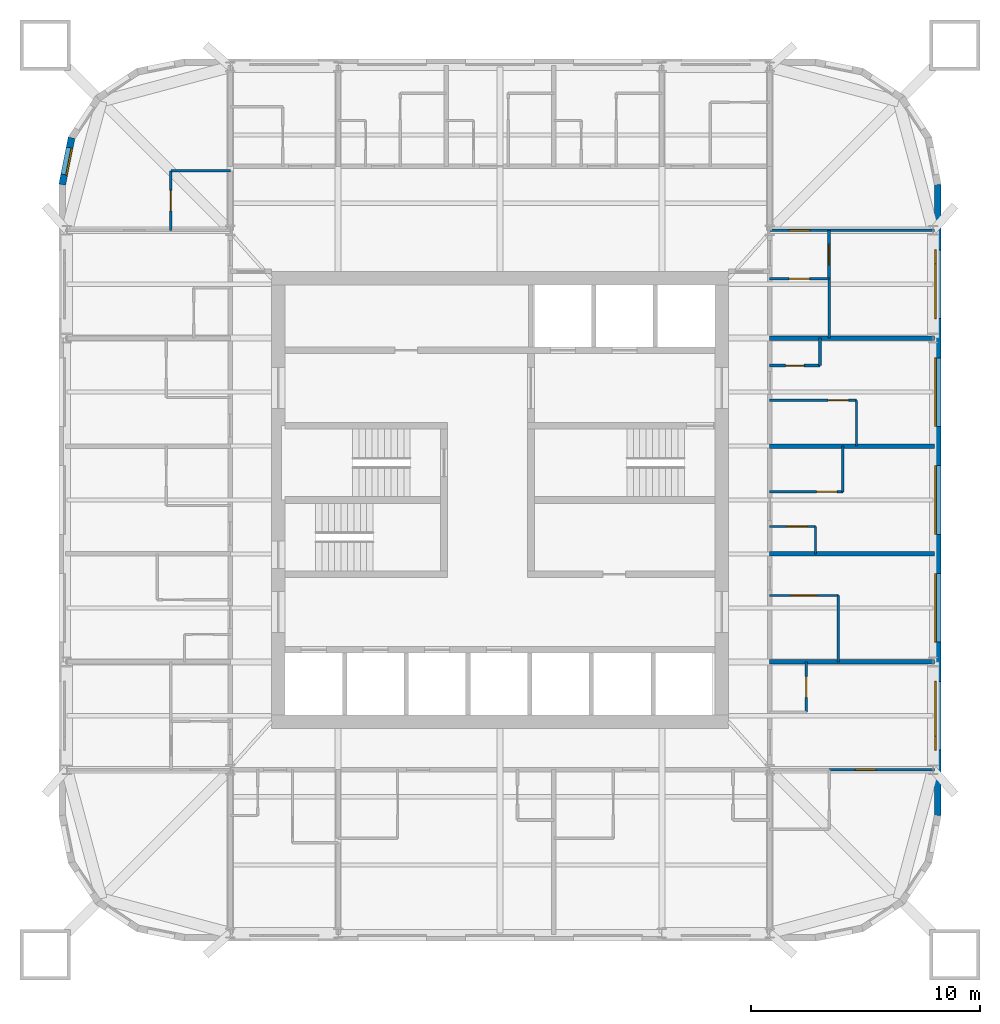
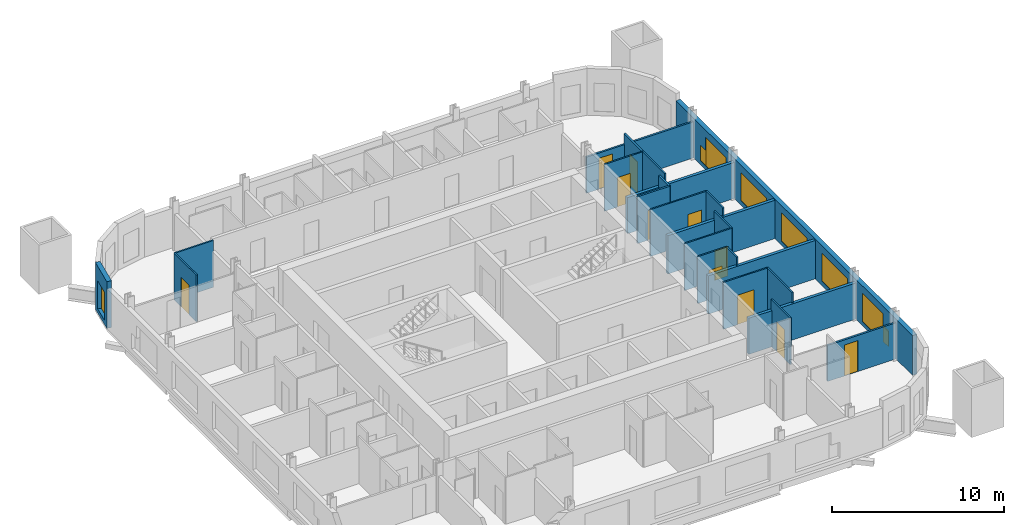
# One storey, part 6 of 9: 24 walls, 11 doors, 8 windows, 19 openings.
"""IFC4 building model written with IfcOpenShell, lengths in metres."""

from ifc_helpers import new_model, si_unit, direction, frame, frame_2d, origin, place, context, subcontext, project, spatial, rectangle, extrude, material, layer, layer_set, type_object, element, fill, save


model = new_model("IFC4")

# Units and contexts
model_context = context("Model", 3, precision=1e-05, world=origin(), true_north=direction((0.0, 1.0)))
body_context = subcontext(model_context, "Body", "Model", "MODEL_VIEW")
ifc_project = project(units=[si_unit("LENGTHUNIT", "METRE"), si_unit("AREAUNIT", "SQUARE_METRE"), si_unit("VOLUMEUNIT", "CUBIC_METRE"), si_unit("PLANEANGLEUNIT", "RADIAN"), si_unit("MASSUNIT", "GRAM", prefix="KILO")], contexts=[model_context])

# Site, building, storey
site_placement = place(None, origin())
site = spatial("IfcSite", under=ifc_project, at=site_placement, CompositionType="ELEMENT")
building_placement = place(site_placement, origin())
building = spatial("IfcBuilding", under=site, at=building_placement, Name="Turquesa Mirador Hotel Tower", CompositionType="ELEMENT")
storey_placement = place(building_placement, frame((0.0, 0.0, 172.300048828125)))
storey = spatial("IfcBuildingStorey", under=building, at=storey_placement, Name="L46", CompositionType="ELEMENT", Elevation=172.300048828125)

# Wall, opening, door
ifc_material_1 = material(Name="Gypsum board on steel studs", Category="steel")
ifc_layer_1 = layer(ifc_material_1, 0.10009765625)
ifc_layer_set_1 = layer_set([ifc_layer_1], Name="BATHROOM WALL 100")
wall_type_1 = type_object("IfcWallType", Name="BATHROOM WALL 100", PredefinedType="PARTITIONING", material=ifc_layer_set_1)
wall_1_placement = place(storey_placement, frame((66.800048828125, 43.840087890625, 0.0), z_axis=(0.0, 0.0, 1.0), x_axis=(1.0, 0.0, 0.0)))
wall_1 = element("IfcWall", 1, at=wall_1_placement, inside=storey, type_object=wall_type_1, Name="Partition L46 002", PredefinedType="PARTITIONING", context=body_context, shape_type="SweptSolid", body=[
    extrude(rectangle(XDim=2.0, YDim=0.10009765625, at=frame_2d((1.0, 0.0))), origin(), (0.0, 0.0, 1.0), 3.329833984375),
])
opening_1_placement = place(wall_1_placement, frame((0.75, 0.0, 0.0)))
opening_1 = element("IfcOpeningElement", 2, at=opening_1_placement, cuts=wall_1, Name="Opening D06", PredefinedType="OPENING", context=body_context, shape_type="SweptSolid", body=[
    extrude(rectangle(XDim=0.89990234375, YDim=2.10009765625, at=frame_2d((0.449951171875, 1.050048828125))), frame((0.0, 0.06005859375, 0.0), z_axis=(0.0, -1.0, 0.0), x_axis=(1.0, 0.0, 0.0)), (0.0, 0.0, 1.0), 0.1201171875),
])
ifc_material_2 = material(Name="Laminate door", Category="wood")
door_type_1 = type_object("IfcDoorType", Name="DOOR 900X2100 WC", OperationType="SINGLE_SWING_LEFT", PredefinedType="DOOR", material=ifc_material_2)
door_1_placement = place(opening_1_placement, origin())
door_1 = element("IfcDoor", 3, at=door_1_placement, inside=storey, type_object=door_type_1, Name="Door 4610W", OperationType="SINGLE_SWING_LEFT", OverallHeight=2.10009765625, OverallWidth=0.89990234375, PredefinedType="DOOR", context=body_context, shape_type="SweptSolid", body=[
    extrude(rectangle(XDim=0.89990234375, YDim=2.10009765625, at=frame_2d((0.449951171875, 1.050048828125))), frame((0.0, 0.02490234375, 0.0), z_axis=(0.0, -1.0, 0.0), x_axis=(1.0, 0.0, 0.0)), (0.0, 0.0, 1.0), 0.050048828125),
])
fill(opening_1, door_1)

wall_2_placement = place(storey_placement, frame((66.800048828125, 40.820068359375, 0.0), z_axis=(0.0, 0.0, 1.0), x_axis=(1.0, 0.0, 0.0)))
wall_2 = element("IfcWall", 4, at=wall_2_placement, inside=storey, type_object=wall_type_1, Name="Partition L46 016", PredefinedType="PARTITIONING", context=body_context, shape_type="SweptSolid", body=[
    extrude(rectangle(XDim=3.0, YDim=0.10009765625, at=frame_2d((1.5, 0.0))), origin(), (0.0, 0.0, 1.0), 3.329833984375),
])
opening_2_placement = place(wall_2_placement, frame((0.949951171875, 0.0, 0.0)))
opening_2 = element("IfcOpeningElement", 5, at=opening_2_placement, cuts=wall_2, Name="Opening D16", PredefinedType="OPENING", context=body_context, shape_type="SweptSolid", body=[
    extrude(rectangle(XDim=1.10009765625, YDim=2.10009765625, at=frame_2d((0.550048828125, 1.050048828125))), frame((0.0, 0.06005859375, 0.0), z_axis=(0.0, -1.0, 0.0), x_axis=(1.0, 0.0, 0.0)), (0.0, 0.0, 1.0), 0.1201171875),
])
ifc_material_3 = material(Name="Timber veneered sliding door", Category="wood")
door_type_2 = type_object("IfcDoorType", Name="DOOR 1100X2100 ACCESSIBLE EN-SUITE", OperationType="SLIDING_TO_LEFT", PredefinedType="DOOR", material=ifc_material_3)
door_2_placement = place(opening_2_placement, origin())
door_2 = element("IfcDoor", 6, at=door_2_placement, inside=storey, type_object=door_type_2, Name="Door 4609B", OperationType="SLIDING_TO_LEFT", OverallHeight=2.10009765625, OverallWidth=1.10009765625, PredefinedType="DOOR", context=body_context, shape_type="SweptSolid", body=[
    extrude(rectangle(XDim=1.10009765625, YDim=2.10009765625, at=frame_2d((0.550048828125, 1.050048828125))), frame((0.0, 0.02490234375, 0.0), z_axis=(0.0, -1.0, 0.0), x_axis=(1.0, 0.0, 0.0)), (0.0, 0.0, 1.0), 0.050048828125),
])
fill(opening_2, door_2)

wall_3_placement = place(storey_placement, frame((66.800048828125, 45.360107421875, 0.0), z_axis=(0.0, 0.0, 1.0), x_axis=(1.0, 0.0, 0.0)))
wall_3 = element("IfcWall", 7, at=wall_3_placement, inside=storey, type_object=wall_type_1, Name="Partition L46 023", PredefinedType="PARTITIONING", context=body_context, shape_type="SweptSolid", body=[
    extrude(rectangle(XDim=3.199951171875, YDim=0.10009765625, at=frame_2d((1.60009765625, 0.0))), origin(), (0.0, 0.0, 1.0), 3.329833984375),
])
opening_3_placement = place(wall_3_placement, frame((2.050048828125, 0.0, 0.0)))
opening_3 = element("IfcOpeningElement", 8, at=opening_3_placement, cuts=wall_3, Name="Opening D02", PredefinedType="OPENING", context=body_context, shape_type="SweptSolid", body=[
    extrude(rectangle(XDim=0.89990234375, YDim=2.10009765625, at=frame_2d((0.449951171875, 1.050048828125))), frame((0.0, 0.06005859375, 0.0), z_axis=(0.0, -1.0, 0.0), x_axis=(1.0, 0.0, 0.0)), (0.0, 0.0, 1.0), 0.1201171875),
])
ifc_material_4 = material(Name="Timber veneered door", Category="wood")
door_type_3 = type_object("IfcDoorType", Name="DOOR 900X2100 EN-SUITE", OperationType="SINGLE_SWING_RIGHT", PredefinedType="DOOR", material=ifc_material_4)
door_3_placement = place(opening_3_placement, origin())
door_3 = element("IfcDoor", 9, at=door_3_placement, inside=storey, type_object=door_type_3, Name="Door 4610B", OperationType="SINGLE_SWING_RIGHT", OverallHeight=2.10009765625, OverallWidth=0.89990234375, PredefinedType="DOOR", context=body_context, shape_type="SweptSolid", body=[
    extrude(rectangle(XDim=0.89990234375, YDim=2.10009765625, at=frame_2d((0.449951171875, 1.050048828125))), frame((0.0, 0.02490234375, 0.0), z_axis=(0.0, -1.0, 0.0), x_axis=(1.0, 0.0, 0.0)), (0.0, 0.0, 1.0), 0.050048828125),
])
fill(opening_3, door_3)

# Wall
wall_4_placement = place(storey_placement, frame((40.60009765625, 59.39990234375, 0.0), z_axis=(0.0, 0.0, 1.0), x_axis=(1.0, 0.0, 0.0)))
element("IfcWall", 10, at=wall_4_placement, inside=storey, type_object=wall_type_1, Name="Partition L46 029", PredefinedType="PARTITIONING", context=body_context, shape_type="SweptSolid", body=[
    extrude(rectangle(XDim=2.599853515625, YDim=0.10009765625, at=frame_2d((1.2998046875, 0.0))), origin(), (0.0, 0.0, 1.0), 3.329833984375),
])

# Wall, opening, door
wall_5_placement = place(storey_placement, frame((66.800048828125, 49.360107421875, 0.0), z_axis=(0.0, 0.0, 1.0), x_axis=(1.0, 0.0, 0.0)))
wall_5 = element("IfcWall", 11, at=wall_5_placement, inside=storey, type_object=wall_type_1, Name="Partition L46 041", PredefinedType="PARTITIONING", context=body_context, shape_type="SweptSolid", body=[
    extrude(rectangle(XDim=3.800048828125, YDim=0.10009765625, at=frame_2d((1.89990234375, 0.0))), origin(), (0.0, 0.0, 1.0), 3.329833984375),
])
opening_4_placement = place(wall_5_placement, frame((2.550048828125, 0.0, 0.0)))
opening_4 = element("IfcOpeningElement", 12, at=opening_4_placement, cuts=wall_5, Name="Opening D02", PredefinedType="OPENING", context=body_context, shape_type="SweptSolid", body=[
    extrude(rectangle(XDim=0.89990234375, YDim=2.10009765625, at=frame_2d((0.449951171875, 1.050048828125))), frame((0.0, 0.06005859375, 0.0), z_axis=(0.0, -1.0, 0.0), x_axis=(1.0, 0.0, 0.0)), (0.0, 0.0, 1.0), 0.1201171875),
])
door_4_placement = place(opening_4_placement, origin())
door_4 = element("IfcDoor", 13, at=door_4_placement, inside=storey, type_object=door_type_3, Name="Door 4611B", OperationType="SINGLE_SWING_RIGHT", OverallHeight=2.10009765625, OverallWidth=0.89990234375, PredefinedType="DOOR", context=body_context, shape_type="SweptSolid", body=[
    extrude(rectangle(XDim=0.89990234375, YDim=2.10009765625, at=frame_2d((0.449951171875, 1.050048828125))), frame((0.0, 0.02490234375, 0.0), z_axis=(0.0, -1.0, 0.0), x_axis=(1.0, 0.0, 0.0)), (0.0, 0.0, 1.0), 0.050048828125),
])
fill(opening_4, door_4)

wall_6_placement = place(storey_placement, frame((66.800048828125, 54.679931640625, 0.0), z_axis=(0.0, 0.0, 1.0), x_axis=(1.0, 0.0, 0.0)))
wall_6 = element("IfcWall", 14, at=wall_6_placement, inside=storey, type_object=wall_type_1, Name="Partition L46 047", PredefinedType="PARTITIONING", context=body_context, shape_type="SweptSolid", body=[
    extrude(rectangle(XDim=2.599853515625, YDim=0.10009765625, at=frame_2d((1.2998046875, 0.0))), origin(), (0.0, 0.0, 1.0), 3.329833984375),
])
opening_5_placement = place(wall_6_placement, frame((0.85009765625, 0.0, 0.0)))
opening_5 = element("IfcOpeningElement", 15, at=opening_5_placement, cuts=wall_6, Name="Opening D02", PredefinedType="OPENING", context=body_context, shape_type="SweptSolid", body=[
    extrude(rectangle(XDim=0.89990234375, YDim=2.10009765625, at=frame_2d((0.449951171875, 1.050048828125))), frame((0.0, 0.06005859375, 0.0), z_axis=(0.0, -1.0, 0.0), x_axis=(1.0, 0.0, 0.0)), (0.0, 0.0, 1.0), 0.1201171875),
])
door_5_placement = place(opening_5_placement, origin())
door_5 = element("IfcDoor", 16, at=door_5_placement, inside=storey, type_object=door_type_3, Name="Door 4615B", OperationType="SINGLE_SWING_RIGHT", OverallHeight=2.10009765625, OverallWidth=0.89990234375, PredefinedType="DOOR", context=body_context, shape_type="SweptSolid", body=[
    extrude(rectangle(XDim=0.89990234375, YDim=2.10009765625, at=frame_2d((0.449951171875, 1.050048828125))), frame((0.0, 0.02490234375, 0.0), z_axis=(0.0, -1.0, 0.0), x_axis=(1.0, 0.0, 0.0)), (0.0, 0.0, 1.0), 0.050048828125),
])
fill(opening_5, door_5)

wall_7_placement = place(storey_placement, frame((40.60009765625, 56.800048828125, 0.0), z_axis=(0.0, 0.0, 1.0), x_axis=(0.0, 1.0, 0.0)))
wall_7 = element("IfcWall", 17, at=wall_7_placement, inside=storey, type_object=wall_type_1, Name="Partition L46 056", PredefinedType="PARTITIONING", context=body_context, shape_type="SweptSolid", body=[
    extrude(rectangle(XDim=2.599853515625, YDim=0.10009765625, at=frame_2d((1.2998046875, 0.0))), origin(), (0.0, 0.0, 1.0), 3.329833984375),
])
opening_6_placement = place(wall_7_placement, frame((0.85009765625, 0.0, 0.0)))
opening_6 = element("IfcOpeningElement", 18, at=opening_6_placement, cuts=wall_7, Name="Opening D02", PredefinedType="OPENING", context=body_context, shape_type="SweptSolid", body=[
    extrude(rectangle(XDim=0.89990234375, YDim=2.10009765625, at=frame_2d((0.449951171875, 1.050048828125))), frame((0.0, 0.06005859375, 0.0), z_axis=(0.0, -1.0, 0.0), x_axis=(1.0, 0.0, 0.0)), (0.0, 0.0, 1.0), 0.1201171875),
])
door_6_placement = place(opening_6_placement, origin())
door_6 = element("IfcDoor", 19, at=door_6_placement, inside=storey, type_object=door_type_3, Name="Door 4616B", OperationType="SINGLE_SWING_RIGHT", OverallHeight=2.10009765625, OverallWidth=0.89990234375, PredefinedType="DOOR", context=body_context, shape_type="SweptSolid", body=[
    extrude(rectangle(XDim=0.89990234375, YDim=2.10009765625, at=frame_2d((0.449951171875, 1.050048828125))), frame((0.0, 0.02490234375, 0.0), z_axis=(0.0, -1.0, 0.0), x_axis=(1.0, 0.0, 0.0)), (0.0, 0.0, 1.0), 0.050048828125),
])
fill(opening_6, door_6)

wall_8_placement = place(storey_placement, frame((68.39990234375, 35.719970703125, 0.0), z_axis=(0.0, 0.0, 1.0), x_axis=(0.0, 1.0, 0.0)))
wall_8 = element("IfcWall", 20, at=wall_8_placement, inside=storey, type_object=wall_type_1, Name="Partition L46 076", PredefinedType="PARTITIONING", context=body_context, shape_type="SweptSolid", body=[
    extrude(rectangle(XDim=2.199951171875, YDim=0.10009765625, at=frame_2d((1.10009765625, 0.0))), origin(), (0.0, 0.0, 1.0), 3.329833984375),
])
opening_7_placement = place(wall_8_placement, frame((0.64990234375, 0.0, 0.0)))
opening_7 = element("IfcOpeningElement", 21, at=opening_7_placement, cuts=wall_8, Name="Opening D06", PredefinedType="OPENING", context=body_context, shape_type="SweptSolid", body=[
    extrude(rectangle(XDim=0.89990234375, YDim=2.10009765625, at=frame_2d((0.449951171875, 1.050048828125))), frame((0.0, 0.06005859375, 0.0), z_axis=(0.0, -1.0, 0.0), x_axis=(1.0, 0.0, 0.0)), (0.0, 0.0, 1.0), 0.1201171875),
])
door_7_placement = place(opening_7_placement, origin())
door_7 = element("IfcDoor", 22, at=door_7_placement, inside=storey, type_object=door_type_1, Name="Door 4618W", OperationType="SINGLE_SWING_LEFT", OverallHeight=2.10009765625, OverallWidth=0.89990234375, PredefinedType="DOOR", context=body_context, shape_type="SweptSolid", body=[
    extrude(rectangle(XDim=0.89990234375, YDim=2.10009765625, at=frame_2d((0.449951171875, 1.050048828125))), frame((0.0, 0.02490234375, 0.0), z_axis=(0.0, -1.0, 0.0), x_axis=(1.0, 0.0, 0.0)), (0.0, 0.0, 1.0), 0.050048828125),
])
fill(opening_7, door_7)

# Walls
wall_9_placement = place(storey_placement, frame((68.800048828125, 42.639892578125, 0.0), z_axis=(0.0, 0.0, 1.0), x_axis=(0.0, 1.0, 0.0)))
element("IfcWall", 23, at=wall_9_placement, inside=storey, type_object=wall_type_1, Name="Partition L46 077", PredefinedType="PARTITIONING", context=body_context, shape_type="SweptSolid", body=[
    extrude(rectangle(XDim=1.2001953125, YDim=0.10009765625, at=frame_2d((0.60009765625, 0.0))), origin(), (0.0, 0.0, 1.0), 3.329833984375),
])
wall_10_placement = place(storey_placement, frame((69.39990234375, 52.080078125, 0.0), z_axis=(0.0, 0.0, 1.0), x_axis=(0.0, 1.0, 0.0)))
element("IfcWall", 24, at=wall_10_placement, inside=storey, type_object=wall_type_1, Name="Partition L46 080", PredefinedType="PARTITIONING", context=body_context, shape_type="SweptSolid", body=[
    extrude(rectangle(XDim=2.599853515625, YDim=0.10009765625, at=frame_2d((1.2998046875, 0.0))), origin(), (0.0, 0.0, 1.0), 3.329833984375),
])
wall_11_placement = place(storey_placement, frame((69.800048828125, 37.919921875, 0.0), z_axis=(0.0, 0.0, 1.0), x_axis=(0.0, 1.0, 0.0)))
element("IfcWall", 25, at=wall_11_placement, inside=storey, type_object=wall_type_1, Name="Partition L46 082", PredefinedType="PARTITIONING", context=body_context, shape_type="SweptSolid", body=[
    extrude(rectangle(XDim=2.900146484375, YDim=0.10009765625, at=frame_2d((1.4501953125, 0.0))), origin(), (0.0, 0.0, 1.0), 3.329833984375),
])
for number, where, z_axis, x_axis, name in (
    (26, (70.0, 45.360107421875, 0.0), (0.0, 0.0, 1.0), (0.0, 1.0, 0.0), "Partition L46 083"),
    (27, (70.60009765625, 47.360107421875, 0.0), (0.0, 0.0, 1.0), (0.0, 1.0, 0.0), "Partition L46 084"),
):
    element("IfcWall", number, at=place(storey_placement, frame(where, z_axis=z_axis, x_axis=x_axis)), inside=storey, type_object=wall_type_1, Name=name, PredefinedType="PARTITIONING", context=body_context, shape_type="SweptSolid", body=[
        extrude(rectangle(XDim=2.0, YDim=0.10009765625, at=frame_2d((1.0, 0.0))), origin(), (0.0, 0.0, 1.0), 3.329833984375),
    ])

# Wall, openings, windows
ifc_material_5 = material(Name="Limestone cladding on concrete block", Category="masonry")
ifc_layer_2 = layer(ifc_material_5, 0.300048828125)
ifc_layer_set_2 = layer_set([ifc_layer_2], Name="FACADE WALL 300 STONE SCREEN")
wall_type_2 = type_object("IfcWallType", Name="FACADE WALL 300 STONE SCREEN", PredefinedType="SOLIDWALL", material=ifc_layer_set_2)
wall_12_placement = place(storey_placement, frame((74.14990234375, 31.199951171875, 0.0), z_axis=(0.0, 0.0, 1.0), x_axis=(0.0, 1.0, 0.0)))
wall_12 = element("IfcWall", 28, at=wall_12_placement, inside=storey, type_object=wall_type_2, Name="Facade wall L46 04", PredefinedType="SOLIDWALL", context=body_context, shape_type="SweptSolid", body=[
    extrude(rectangle(XDim=27.60009765625, YDim=0.300048828125, at=frame_2d((13.800048828125, 0.0))), origin(), (0.0, 0.0, 1.0), 2.829833984375),
])
opening_8_placement = place(wall_12_placement, frame((3.4599609375, 0.0, 0.300048828125)))
opening_8 = element("IfcOpeningElement", 29, at=opening_8_placement, cuts=wall_12, Name="Opening WN2", PredefinedType="OPENING", context=body_context, shape_type="SweptSolid", body=[
    extrude(rectangle(XDim=2.39990234375, YDim=2.0, at=frame_2d((1.199951171875, 1.0))), frame((0.0, 0.159912109375, 0.0), z_axis=(0.0, -1.0, 0.0), x_axis=(1.0, 0.0, 0.0)), (0.0, 0.0, 1.0), 0.320068359375),
])
opening_9_placement = place(wall_12_placement, frame((7.580078125, 0.0, 0.300048828125)))
opening_9 = element("IfcOpeningElement", 30, at=opening_9_placement, cuts=wall_12, Name="Opening WN1", PredefinedType="OPENING", context=body_context, shape_type="SweptSolid", body=[
    extrude(rectangle(XDim=3.0, YDim=2.0, at=frame_2d((1.5, 1.0))), frame((0.0, 0.159912109375, 0.0), z_axis=(0.0, -1.0, 0.0), x_axis=(1.0, 0.0, 0.0)), (0.0, 0.0, 1.0), 0.320068359375),
])
opening_10_placement = place(wall_12_placement, frame((12.300048828125, 0.0, 0.300048828125)))
opening_10 = element("IfcOpeningElement", 31, at=opening_10_placement, cuts=wall_12, Name="Opening WN1", PredefinedType="OPENING", context=body_context, shape_type="SweptSolid", body=[
    extrude(rectangle(XDim=3.0, YDim=2.0, at=frame_2d((1.5, 1.0))), frame((0.0, 0.159912109375, 0.0), z_axis=(0.0, -1.0, 0.0), x_axis=(1.0, 0.0, 0.0)), (0.0, 0.0, 1.0), 0.320068359375),
])
opening_11_placement = place(wall_12_placement, frame((17.02001953125, 0.0, 0.300048828125)))
opening_11 = element("IfcOpeningElement", 32, at=opening_11_placement, cuts=wall_12, Name="Opening WN1", PredefinedType="OPENING", context=body_context, shape_type="SweptSolid", body=[
    extrude(rectangle(XDim=3.0, YDim=2.0, at=frame_2d((1.5, 1.0))), frame((0.0, 0.159912109375, 0.0), z_axis=(0.0, -1.0, 0.0), x_axis=(1.0, 0.0, 0.0)), (0.0, 0.0, 1.0), 0.320068359375),
])
opening_12_placement = place(wall_12_placement, frame((21.739990234375, 0.0, 0.300048828125)))
opening_12 = element("IfcOpeningElement", 33, at=opening_12_placement, cuts=wall_12, Name="Opening WN2", PredefinedType="OPENING", context=body_context, shape_type="SweptSolid", body=[
    extrude(rectangle(XDim=2.39990234375, YDim=2.0, at=frame_2d((1.199951171875, 1.0))), frame((0.0, 0.159912109375, 0.0), z_axis=(0.0, -1.0, 0.0), x_axis=(1.0, 0.0, 0.0)), (0.0, 0.0, 1.0), 0.320068359375),
])
opening_13_placement = place(wall_12_placement, frame((2.860107421875, 0.0, 0.300048828125)))
opening_13 = element("IfcOpeningElement", 34, at=opening_13_placement, cuts=wall_12, Name="Opening WN30", PredefinedType="OPENING", context=body_context, shape_type="SweptSolid", body=[
    extrude(rectangle(XDim=0.60009765625, YDim=1.10009765625, at=frame_2d((0.300048828125, 0.550048828125))), frame((0.0, 0.159912109375, 0.0), z_axis=(0.0, -1.0, 0.0), x_axis=(1.0, 0.0, 0.0)), (0.0, 0.0, 1.0), 0.320068359375),
])
opening_14_placement = place(wall_12_placement, frame((24.139892578125, 0.0, 0.300048828125)))
opening_14 = element("IfcOpeningElement", 35, at=opening_14_placement, cuts=wall_12, Name="Opening WN30", PredefinedType="OPENING", context=body_context, shape_type="SweptSolid", body=[
    extrude(rectangle(XDim=0.60009765625, YDim=1.10009765625, at=frame_2d((0.300048828125, 0.550048828125))), frame((0.0, 0.159912109375, 0.0), z_axis=(0.0, -1.0, 0.0), x_axis=(1.0, 0.0, 0.0)), (0.0, 0.0, 1.0), 0.320068359375),
])
ifc_material_6 = material(Name="Ceramic-fritted laminated glass", Category="glass")
window_type_1 = type_object("IfcWindowType", Name="FRITTED WINDOW 2400X2000", PartitioningType="DOUBLE_PANEL_HORIZONTAL", PredefinedType="WINDOW", material=ifc_material_6)
window_1_placement = place(opening_8_placement, origin())
window_1 = element("IfcWindow", 36, at=window_1_placement, inside=storey, type_object=window_type_1, Name="Window L46", OverallHeight=2.0, OverallWidth=2.39990234375, PartitioningType="SINGLE_PANEL", PredefinedType="WINDOW", context=body_context, shape_type="SweptSolid", body=[
    extrude(rectangle(XDim=2.39990234375, YDim=2.0, at=frame_2d((1.199951171875, 1.0))), frame((0.0, 0.130126953125, 0.0), z_axis=(0.0, -1.0, 0.0), x_axis=(1.0, 0.0, 0.0)), (0.0, 0.0, 1.0), 0.06005859375),
])
fill(opening_8, window_1)
window_2_placement = place(opening_12_placement, origin())
window_2 = element("IfcWindow", 37, at=window_2_placement, inside=storey, type_object=window_type_1, Name="Window L46", OverallHeight=2.0, OverallWidth=2.39990234375, PartitioningType="SINGLE_PANEL", PredefinedType="WINDOW", context=body_context, shape_type="SweptSolid", body=[
    extrude(rectangle(XDim=2.39990234375, YDim=2.0, at=frame_2d((1.199951171875, 1.0))), frame((0.0, 0.130126953125, 0.0), z_axis=(0.0, -1.0, 0.0), x_axis=(1.0, 0.0, 0.0)), (0.0, 0.0, 1.0), 0.06005859375),
])
fill(opening_12, window_2)
ifc_material_7 = material(Name="Ceramic-fritted laminated glass", Category="glass")
window_type_2 = type_object("IfcWindowType", Name="FRITTED WINDOW 3000X2000", PartitioningType="DOUBLE_PANEL_HORIZONTAL", PredefinedType="WINDOW", material=ifc_material_7)
window_3_placement = place(opening_9_placement, origin())
window_3 = element("IfcWindow", 38, at=window_3_placement, inside=storey, type_object=window_type_2, Name="Window L46", OverallHeight=2.0, OverallWidth=3.0, PartitioningType="SINGLE_PANEL", PredefinedType="WINDOW", context=body_context, shape_type="SweptSolid", body=[
    extrude(rectangle(XDim=3.0, YDim=2.0, at=frame_2d((1.5, 1.0))), frame((0.0, 0.130126953125, 0.0), z_axis=(0.0, -1.0, 0.0), x_axis=(1.0, 0.0, 0.0)), (0.0, 0.0, 1.0), 0.06005859375),
])
fill(opening_9, window_3)
window_4_placement = place(opening_10_placement, origin())
window_4 = element("IfcWindow", 39, at=window_4_placement, inside=storey, type_object=window_type_2, Name="Window L46", OverallHeight=2.0, OverallWidth=3.0, PartitioningType="SINGLE_PANEL", PredefinedType="WINDOW", context=body_context, shape_type="SweptSolid", body=[
    extrude(rectangle(XDim=3.0, YDim=2.0, at=frame_2d((1.5, 1.0))), frame((0.0, 0.130126953125, 0.0), z_axis=(0.0, -1.0, 0.0), x_axis=(1.0, 0.0, 0.0)), (0.0, 0.0, 1.0), 0.06005859375),
])
fill(opening_10, window_4)
window_5_placement = place(opening_11_placement, origin())
window_5 = element("IfcWindow", 40, at=window_5_placement, inside=storey, type_object=window_type_2, Name="Window L46", OverallHeight=2.0, OverallWidth=3.0, PartitioningType="SINGLE_PANEL", PredefinedType="WINDOW", context=body_context, shape_type="SweptSolid", body=[
    extrude(rectangle(XDim=3.0, YDim=2.0, at=frame_2d((1.5, 1.0))), frame((0.0, 0.130126953125, 0.0), z_axis=(0.0, -1.0, 0.0), x_axis=(1.0, 0.0, 0.0)), (0.0, 0.0, 1.0), 0.06005859375),
])
fill(opening_11, window_5)
ifc_material_8 = material(Name="Ceramic-fritted laminated glass", Category="glass")
window_type_3 = type_object("IfcWindowType", Name="FRITTED WINDOW 600X1100", PartitioningType="DOUBLE_PANEL_HORIZONTAL", PredefinedType="WINDOW", material=ifc_material_8)
window_6_placement = place(opening_13_placement, origin())
window_6 = element("IfcWindow", 41, at=window_6_placement, inside=storey, type_object=window_type_3, Name="Window L46", OverallHeight=1.10009765625, OverallWidth=0.60009765625, PartitioningType="SINGLE_PANEL", PredefinedType="WINDOW", context=body_context, shape_type="SweptSolid", body=[
    extrude(rectangle(XDim=0.60009765625, YDim=1.10009765625, at=frame_2d((0.300048828125, 0.550048828125))), frame((0.0, 0.130126953125, 0.0), z_axis=(0.0, -1.0, 0.0), x_axis=(1.0, 0.0, 0.0)), (0.0, 0.0, 1.0), 0.06005859375),
])
fill(opening_13, window_6)
window_7_placement = place(opening_14_placement, origin())
window_7 = element("IfcWindow", 42, at=window_7_placement, inside=storey, type_object=window_type_3, Name="Window L46", OverallHeight=1.10009765625, OverallWidth=0.60009765625, PartitioningType="SINGLE_PANEL", PredefinedType="WINDOW", context=body_context, shape_type="SweptSolid", body=[
    extrude(rectangle(XDim=0.60009765625, YDim=1.10009765625, at=frame_2d((0.300048828125, 0.550048828125))), frame((0.0, 0.130126953125, 0.0), z_axis=(0.0, -1.0, 0.0), x_axis=(1.0, 0.0, 0.0)), (0.0, 0.0, 1.0), 0.06005859375),
])
fill(opening_14, window_7)

# Wall, opening, window
wall_13_placement = place(storey_placement, frame((36.25732421875, 60.847412109375, 0.0), z_axis=(0.0, 0.0, 1.0), x_axis=(-0.195081421501, -0.980787050784, 0.0)))
wall_13 = element("IfcWall", 43, at=wall_13_placement, inside=storey, type_object=wall_type_2, Name="Facade wall L46 13", PredefinedType="SOLIDWALL", context=body_context, shape_type="SweptSolid", body=[
    extrude(rectangle(XDim=2.08740234375, YDim=0.300048828125, at=frame_2d((1.043701171875, 0.0))), origin(), (0.0, 0.0, 1.0), 3.329833984375),
])
opening_15_placement = place(wall_13_placement, frame((0.443603515625, 0.0, 0.300048828125)))
opening_15 = element("IfcOpeningElement", 44, at=opening_15_placement, cuts=wall_13, Name="Opening WN4", PredefinedType="OPENING", context=body_context, shape_type="SweptSolid", body=[
    extrude(rectangle(XDim=1.199951171875, YDim=2.0, at=frame_2d((0.60009765625, 1.0))), frame((0.0, 0.159912109375, 0.0), z_axis=(0.0, -1.0, 0.0), x_axis=(1.0, 0.0, 0.0)), (0.0, 0.0, 1.0), 0.320068359375),
])
ifc_material_9 = material(Name="Ceramic-fritted laminated glass", Category="glass")
window_type_4 = type_object("IfcWindowType", Name="FRITTED CORNER WINDOW 1200X2000", PartitioningType="DOUBLE_PANEL_HORIZONTAL", PredefinedType="WINDOW", material=ifc_material_9)
window_8_placement = place(opening_15_placement, origin())
window_8 = element("IfcWindow", 45, at=window_8_placement, inside=storey, type_object=window_type_4, Name="Window L46", OverallHeight=2.0, OverallWidth=1.199951171875, PartitioningType="SINGLE_PANEL", PredefinedType="WINDOW", context=body_context, shape_type="SweptSolid", body=[
    extrude(rectangle(XDim=1.199951171875, YDim=2.0, at=frame_2d((0.60009765625, 1.0))), frame((0.0, 0.130126953125, 0.0), z_axis=(0.0, -1.0, 0.0), x_axis=(1.0, 0.0, 0.0)), (0.0, 0.0, 1.0), 0.06005859375),
])
fill(opening_15, window_8)

# Walls
ifc_material_10 = material(Name="Fire-rated gypsum board on steel studs", Category="steel")
ifc_layer_3 = layer(ifc_material_10, 0.199951171875)
ifc_layer_set_3 = layer_set([ifc_layer_3], Name="PARTY WALL 200")
wall_type_3 = type_object("IfcWallType", Name="PARTY WALL 200", PredefinedType="PARTITIONING", material=ifc_layer_set_3)
wall_14_placement = place(storey_placement, frame((66.800048828125, 42.639892578125, 0.0), z_axis=(0.0, 0.0, 1.0), x_axis=(1.0, 0.0, 0.0)))
element("IfcWall", 46, at=wall_14_placement, inside=storey, type_object=wall_type_3, Name="Partition L46 015", PredefinedType="PARTITIONING", context=body_context, shape_type="SweptSolid", body=[
    extrude(rectangle(XDim=7.199951171875, YDim=0.199951171875, at=frame_2d((3.60009765625, 0.0))), origin(), (0.0, 0.0, 1.0), 2.73046875),
])
wall_15_placement = place(storey_placement, frame((66.800048828125, 37.919921875, 0.0), z_axis=(0.0, 0.0, 1.0), x_axis=(1.0, 0.0, 0.0)))
element("IfcWall", 47, at=wall_15_placement, inside=storey, type_object=wall_type_3, Name="Partition L46 020", PredefinedType="PARTITIONING", context=body_context, shape_type="SweptSolid", body=[
    extrude(rectangle(XDim=7.199951171875, YDim=0.199951171875, at=frame_2d((3.60009765625, 0.0))), origin(), (0.0, 0.0, 1.0), 2.572998046875),
])
wall_16_placement = place(storey_placement, frame((66.800048828125, 47.360107421875, 0.0), z_axis=(0.0, 0.0, 1.0), x_axis=(1.0, 0.0, 0.0)))
element("IfcWall", 48, at=wall_16_placement, inside=storey, type_object=wall_type_3, Name="Partition L46 040", PredefinedType="PARTITIONING", context=body_context, shape_type="SweptSolid", body=[
    extrude(rectangle(XDim=7.199951171875, YDim=0.199951171875, at=frame_2d((3.60009765625, 0.0))), origin(), (0.0, 0.0, 1.0), 2.73046875),
])
wall_17_placement = place(storey_placement, frame((66.800048828125, 52.080078125, 0.0), z_axis=(0.0, 0.0, 1.0), x_axis=(1.0, 0.0, 0.0)))
element("IfcWall", 49, at=wall_17_placement, inside=storey, type_object=wall_type_3, Name="Partition L46 045", PredefinedType="PARTITIONING", context=body_context, shape_type="SweptSolid", body=[
    extrude(rectangle(XDim=7.199951171875, YDim=0.199951171875, at=frame_2d((3.60009765625, 0.0))), origin(), (0.0, 0.0, 1.0), 2.572998046875),
])

# Wall, opening, door
ifc_material_11 = material(Name="Acoustic gypsum board on steel studs", Category="steel")
ifc_layer_4 = layer(ifc_material_11, 0.125)
ifc_layer_set_4 = layer_set([ifc_layer_4], Name="SUITE PARTITION 125")
wall_type_4 = type_object("IfcWallType", Name="SUITE PARTITION 125", PredefinedType="PARTITIONING", material=ifc_layer_set_4)
wall_18_placement = place(storey_placement, frame((69.39990234375, 33.199951171875, 0.0), z_axis=(0.0, 0.0, 1.0), x_axis=(1.0, 0.0, 0.0)))
wall_18 = element("IfcWall", 50, at=wall_18_placement, inside=storey, type_object=wall_type_4, Name="Partition L46 006", PredefinedType="PARTITIONING", context=body_context, shape_type="SweptSolid", body=[
    extrude(rectangle(XDim=4.60009765625, YDim=0.125, at=frame_2d((2.300048828125, 0.0))), origin(), (0.0, 0.0, 1.0), 2.572998046875),
])
opening_16_placement = place(wall_18_placement, frame((1.14990234375, 0.0, 0.0)))
opening_16 = element("IfcOpeningElement", 51, at=opening_16_placement, cuts=wall_18, Name="Opening D17", PredefinedType="OPENING", context=body_context, shape_type="SweptSolid", body=[
    extrude(rectangle(XDim=0.89990234375, YDim=2.199951171875, at=frame_2d((0.449951171875, 1.10009765625))), frame((0.0, 0.072509765625, 0.0), z_axis=(0.0, -1.0, 0.0), x_axis=(1.0, 0.0, 0.0)), (0.0, 0.0, 1.0), 0.14501953125),
])
ifc_material_12 = material(Name="Timber veneered door", Category="wood")
door_type_4 = type_object("IfcDoorType", Name="DOOR 900X2200 SUITE INTERNAL", OperationType="SINGLE_SWING_LEFT", PredefinedType="DOOR", material=ifc_material_12)
door_8_placement = place(opening_16_placement, origin())
door_8 = element("IfcDoor", 52, at=door_8_placement, inside=storey, type_object=door_type_4, Name="Door 4618R", OperationType="SINGLE_SWING_LEFT", OverallHeight=2.199951171875, OverallWidth=0.89990234375, PredefinedType="DOOR", context=body_context, shape_type="SweptSolid", body=[
    extrude(rectangle(XDim=0.89990234375, YDim=2.199951171875, at=frame_2d((0.449951171875, 1.10009765625))), frame((0.0, 0.02490234375, 0.0), z_axis=(0.0, -1.0, 0.0), x_axis=(1.0, 0.0, 0.0)), (0.0, 0.0, 1.0), 0.050048828125),
])
fill(opening_16, door_8)

wall_19_placement = place(storey_placement, frame((66.800048828125, 56.800048828125, 0.0), z_axis=(0.0, 0.0, 1.0), x_axis=(1.0, 0.0, 0.0)))
wall_19 = element("IfcWall", 53, at=wall_19_placement, inside=storey, type_object=wall_type_4, Name="Partition L46 028", PredefinedType="PARTITIONING", context=body_context, shape_type="SweptSolid", body=[
    extrude(rectangle(XDim=7.199951171875, YDim=0.125, at=frame_2d((3.60009765625, 0.0))), origin(), (0.0, 0.0, 1.0), 2.572998046875),
])
opening_17_placement = place(wall_19_placement, frame((0.85009765625, 0.0, 0.0)))
opening_17 = element("IfcOpeningElement", 54, at=opening_17_placement, cuts=wall_19, Name="Opening D17", PredefinedType="OPENING", context=body_context, shape_type="SweptSolid", body=[
    extrude(rectangle(XDim=0.89990234375, YDim=2.199951171875, at=frame_2d((0.449951171875, 1.10009765625))), frame((0.0, 0.072509765625, 0.0), z_axis=(0.0, -1.0, 0.0), x_axis=(1.0, 0.0, 0.0)), (0.0, 0.0, 1.0), 0.14501953125),
])
door_9_placement = place(opening_17_placement, origin())
door_9 = element("IfcDoor", 55, at=door_9_placement, inside=storey, type_object=door_type_4, Name="Door 4615", OperationType="SINGLE_SWING_LEFT", OverallHeight=2.199951171875, OverallWidth=0.89990234375, PredefinedType="DOOR", context=body_context, shape_type="SweptSolid", body=[
    extrude(rectangle(XDim=0.89990234375, YDim=2.199951171875, at=frame_2d((0.449951171875, 1.10009765625))), frame((0.0, 0.02490234375, 0.0), z_axis=(0.0, -1.0, 0.0), x_axis=(1.0, 0.0, 0.0)), (0.0, 0.0, 1.0), 0.050048828125),
])
fill(opening_17, door_9)

wall_20_placement = place(storey_placement, frame((66.800048828125, 50.8798828125, 0.0), z_axis=(0.0, 0.0, 1.0), x_axis=(1.0, 0.0, 0.0)))
wall_20 = element("IfcWall", 56, at=wall_20_placement, inside=storey, type_object=wall_type_4, Name="Partition L46 043", PredefinedType="PARTITIONING", context=body_context, shape_type="SweptSolid", body=[
    extrude(rectangle(XDim=2.199951171875, YDim=0.125, at=frame_2d((1.10009765625, 0.0))), origin(), (0.0, 0.0, 1.0), 3.329833984375),
])
opening_18_placement = place(wall_20_placement, frame((0.699951171875, 0.0, 0.0)))
opening_18 = element("IfcOpeningElement", 57, at=opening_18_placement, cuts=wall_20, Name="Opening D20", PredefinedType="OPENING", context=body_context, shape_type="SweptSolid", body=[
    extrude(rectangle(XDim=0.800048828125, YDim=2.10009765625, at=frame_2d((0.39990234375, 1.050048828125))), frame((0.0, 0.072509765625, 0.0), z_axis=(0.0, -1.0, 0.0), x_axis=(1.0, 0.0, 0.0)), (0.0, 0.0, 1.0), 0.14501953125),
])
ifc_material_13 = material(Name="Timber veneered sliding door", Category="wood")
door_type_5 = type_object("IfcDoorType", Name="DOOR 800X2100 WARDROBE", OperationType="SLIDING_TO_LEFT", PredefinedType="DOOR", material=ifc_material_13)
door_10_placement = place(opening_18_placement, origin())
door_10 = element("IfcDoor", 58, at=door_10_placement, inside=storey, type_object=door_type_5, Name="Door 4611W", OperationType="SLIDING_TO_LEFT", OverallHeight=2.10009765625, OverallWidth=0.800048828125, PredefinedType="DOOR", context=body_context, shape_type="SweptSolid", body=[
    extrude(rectangle(XDim=0.800048828125, YDim=2.10009765625, at=frame_2d((0.39990234375, 1.050048828125))), frame((0.0, 0.02490234375, 0.0), z_axis=(0.0, -1.0, 0.0), x_axis=(1.0, 0.0, 0.0)), (0.0, 0.0, 1.0), 0.050048828125),
])
fill(opening_18, door_10)

# Wall
wall_21_placement = place(storey_placement, frame((69.0, 50.8798828125, 0.0), z_axis=(0.0, 0.0, 1.0), x_axis=(0.0, 1.0, 0.0)))
element("IfcWall", 59, at=wall_21_placement, inside=storey, type_object=wall_type_4, Name="Partition L46 078", PredefinedType="PARTITIONING", context=body_context, shape_type="SweptSolid", body=[
    extrude(rectangle(XDim=1.2001953125, YDim=0.125, at=frame_2d((0.60009765625, 0.0))), origin(), (0.0, 0.0, 1.0), 3.329833984375),
])

# Wall, opening, door
wall_22_placement = place(storey_placement, frame((69.39990234375, 54.679931640625, 0.0), z_axis=(0.0, 0.0, 1.0), x_axis=(0.0, 1.0, 0.0)))
wall_22 = element("IfcWall", 60, at=wall_22_placement, inside=storey, type_object=wall_type_4, Name="Partition L46 081", PredefinedType="PARTITIONING", context=body_context, shape_type="SweptSolid", body=[
    extrude(rectangle(XDim=2.1201171875, YDim=0.125, at=frame_2d((1.06005859375, 0.0))), origin(), (0.0, 0.0, 1.0), 3.329833984375),
])
opening_19_placement = place(wall_22_placement, frame((0.610107421875, 0.0, 0.0)))
opening_19 = element("IfcOpeningElement", 61, at=opening_19_placement, cuts=wall_22, Name="Opening D17", PredefinedType="OPENING", context=body_context, shape_type="SweptSolid", body=[
    extrude(rectangle(XDim=0.89990234375, YDim=2.199951171875, at=frame_2d((0.449951171875, 1.10009765625))), frame((0.0, 0.072509765625, 0.0), z_axis=(0.0, -1.0, 0.0), x_axis=(1.0, 0.0, 0.0)), (0.0, 0.0, 1.0), 0.14501953125),
])
door_11_placement = place(opening_19_placement, origin())
door_11 = element("IfcDoor", 62, at=door_11_placement, inside=storey, type_object=door_type_4, Name="Door 4615R", OperationType="SINGLE_SWING_LEFT", OverallHeight=2.199951171875, OverallWidth=0.89990234375, PredefinedType="DOOR", context=body_context, shape_type="SweptSolid", body=[
    extrude(rectangle(XDim=0.89990234375, YDim=2.199951171875, at=frame_2d((0.449951171875, 1.10009765625))), frame((0.0, 0.02490234375, 0.0), z_axis=(0.0, -1.0, 0.0), x_axis=(1.0, 0.0, 0.0)), (0.0, 0.0, 1.0), 0.050048828125),
])
fill(opening_19, door_11)

save(model, "model.ifc")
